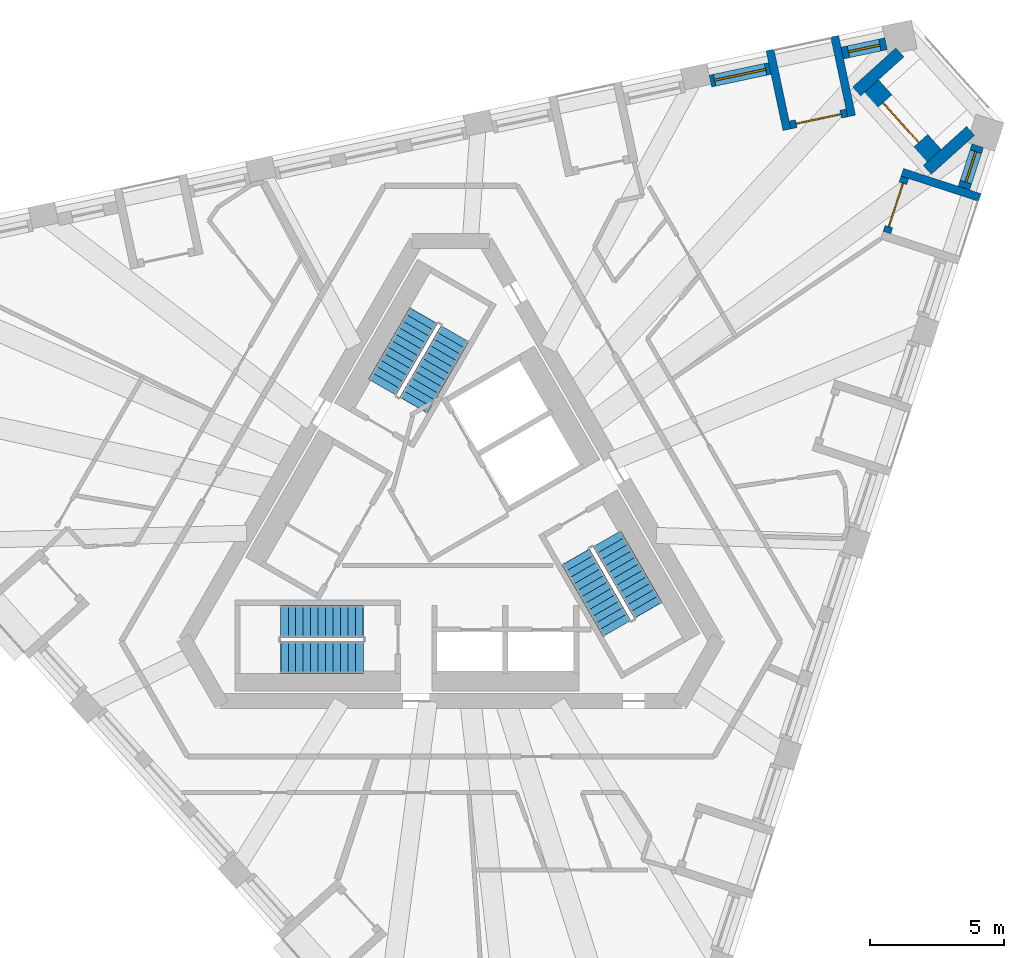
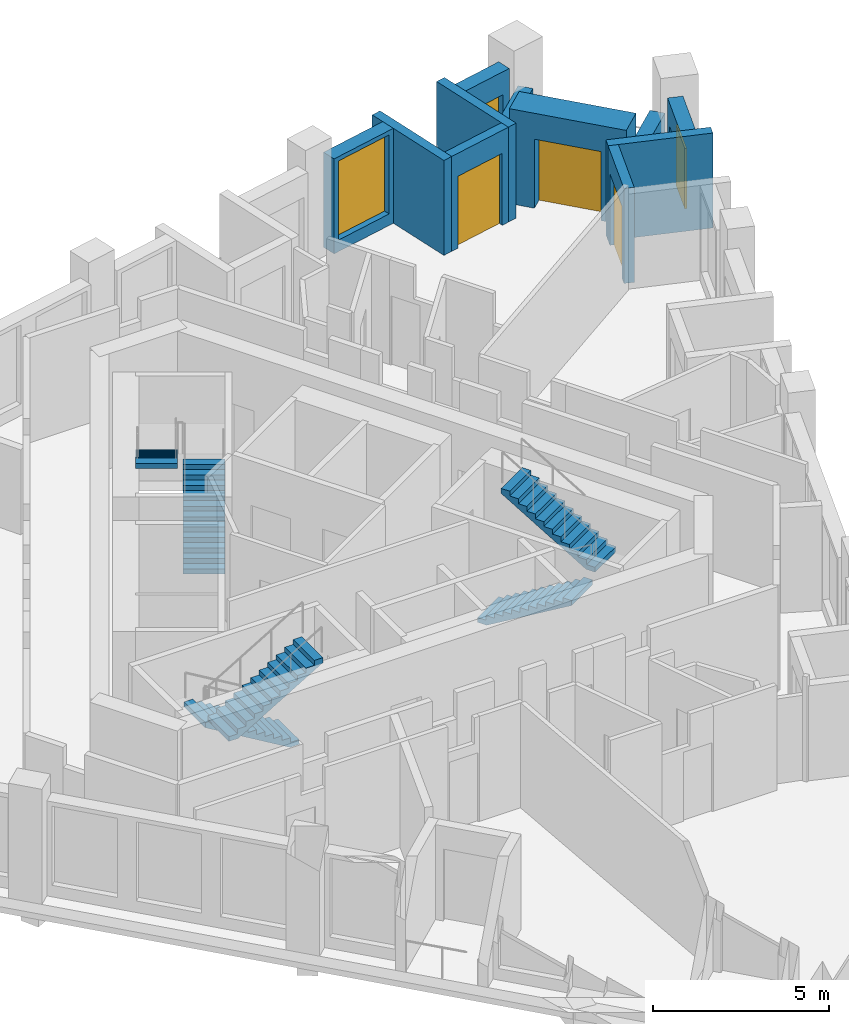
# One storey, part 8 of 12: 11 walls, 6 stair flights, 3 doors, 3 windows, 6 openings, 3 elements without a shape of their own.
"""IFC4 building model written with IfcOpenShell, lengths in metres."""

from ifc_helpers import new_model, si_unit, direction, frame, frame_2d, origin, place, context, subcontext, project, spatial, polyline, rectangle, outline, extrude, material, layer, layer_set, type_object, element, fill, aggregate, save


model = new_model("IFC4")

# Units and contexts
model_context = context("Model", 3, precision=1e-05, world=origin(), true_north=direction((0.0, 1.0)))
body_context = subcontext(model_context, "Body", "Model", "MODEL_VIEW")
ifc_project = project(units=[si_unit("LENGTHUNIT", "METRE"), si_unit("AREAUNIT", "SQUARE_METRE"), si_unit("VOLUMEUNIT", "CUBIC_METRE"), si_unit("PLANEANGLEUNIT", "RADIAN"), si_unit("MASSUNIT", "GRAM", prefix="KILO")], contexts=[model_context])

# Site, building, storey
site_placement = place(None, origin())
site = spatial("IfcSite", under=ifc_project, at=site_placement, CompositionType="ELEMENT")
building_placement = place(site_placement, origin())
building = spatial("IfcBuilding", under=site, at=building_placement, Name="Tramontana Tower", CompositionType="ELEMENT")
storey_placement = place(building_placement, frame((0.0, 0.0, 332.39990234375)))
storey = spatial("IfcBuildingStorey", under=building, at=storey_placement, Name="L76", CompositionType="ELEMENT", Elevation=332.39990234375)

# Wall, opening, window
ifc_material_1 = material(Name="Precast concrete 60 MPa", Category="concrete")
ifc_layer_1 = layer(ifc_material_1, 0.449951171875)
ifc_layer_set_1 = layer_set([ifc_layer_1], Name="Precast concrete 60 MPa, 450 mm")
wall_type_1 = type_object("IfcWallType", Name="EW1 Stone-faced precast wall 450", PredefinedType="SOLIDWALL", material=ifc_layer_set_1)
wall_1_placement = place(storey_placement, frame((19.1904296875, 12.705078125, 0.0), z_axis=(0.0, 0.0, 1.0), x_axis=(0.30898696848, 0.951066271776, 0.0)))
wall_1 = element("IfcWall", 1, at=wall_1_placement, inside=storey, type_object=wall_type_1, Name="External wall L76 face 1 bay 5", PredefinedType="SOLIDWALL", context=body_context, shape_type="SweptSolid", body=[
    extrude(rectangle(XDim=1.671142578125, YDim=0.449951171875, at=frame_2d((0.83544921875, 0.0))), origin(), (0.0, 0.0, 1.0), 3.300048828125),
])
opening_1_placement = place(wall_1_placement, frame((0.235595703125, 0.0, 0.39990234375)))
opening_1 = element("IfcOpeningElement", 2, at=opening_1_placement, cuts=wall_1, Name="Opening N3L", PredefinedType="OPENING", context=body_context, shape_type="SweptSolid", body=[
    extrude(rectangle(XDim=1.199951171875, YDim=2.10009765625, at=frame_2d((0.60009765625, 1.050048828125))), frame((0.0, 0.23486328125, 0.0), z_axis=(0.0, -1.0, 0.0), x_axis=(1.0, 0.0, 0.0)), (0.0, 0.0, 1.0), 0.469970703125),
])
ifc_material_2 = material(Name="Aluminum frame, double glazing unit", Category="aluminium")
window_type_1 = type_object("IfcWindowType", Name="N3L Window 1.2 x 2.1", PartitioningType="SINGLE_PANEL", PredefinedType="WINDOW", material=ifc_material_2)
window_1_placement = place(opening_1_placement, origin())
window_1 = element("IfcWindow", 3, at=window_1_placement, inside=storey, type_object=window_type_1, Name="Window N3L L76 face 1 module 15", OverallHeight=2.10009765625, OverallWidth=1.199951171875, PartitioningType="SINGLE_PANEL", PredefinedType="WINDOW", context=body_context, shape_type="SweptSolid", body=[
    extrude(rectangle(XDim=1.199951171875, YDim=2.10009765625, at=frame_2d((0.60009765625, 1.050048828125))), frame((0.0, 0.030029296875, 0.0), z_axis=(0.0, -1.0, 0.0), x_axis=(1.0, 0.0, 0.0)), (0.0, 0.0, 1.0), 0.06005859375),
])
fill(opening_1, window_1)

wall_2_placement = place(storey_placement, frame((16.276123046875, 18.104736328125, 0.0), z_axis=(0.0, 0.0, 1.0), x_axis=(-0.978126168783, -0.208012494676, 0.0)))
wall_2 = element("IfcWall", 4, at=wall_2_placement, inside=storey, type_object=wall_type_1, Name="External wall L76 face 2 bay 1", PredefinedType="SOLIDWALL", context=body_context, shape_type="SweptSolid", body=[
    extrude(rectangle(XDim=1.67138671875, YDim=0.449951171875, at=frame_2d((0.835693359375, 0.0))), origin(), (0.0, 0.0, 1.0), 3.300048828125),
])
opening_2_placement = place(wall_2_placement, frame((0.235595703125, 0.0, 0.39990234375)))
opening_2 = element("IfcOpeningElement", 5, at=opening_2_placement, cuts=wall_2, Name="Opening N3L", PredefinedType="OPENING", context=body_context, shape_type="SweptSolid", body=[
    extrude(rectangle(XDim=1.199951171875, YDim=2.10009765625, at=frame_2d((0.60009765625, 1.050048828125))), frame((0.0, 0.23486328125, 0.0), z_axis=(0.0, -1.0, 0.0), x_axis=(1.0, 0.0, 0.0)), (0.0, 0.0, 1.0), 0.469970703125),
])
window_2_placement = place(opening_2_placement, origin())
window_2 = element("IfcWindow", 6, at=window_2_placement, inside=storey, type_object=window_type_1, Name="Window N3L L76 face 2 module 1", OverallHeight=2.10009765625, OverallWidth=1.199951171875, PartitioningType="SINGLE_PANEL", PredefinedType="WINDOW", context=body_context, shape_type="SweptSolid", body=[
    extrude(rectangle(XDim=1.199951171875, YDim=2.10009765625, at=frame_2d((0.60009765625, 1.050048828125))), frame((0.0, 0.030029296875, 0.0), z_axis=(0.0, -1.0, 0.0), x_axis=(1.0, 0.0, 0.0)), (0.0, 0.0, 1.0), 0.06005859375),
])
fill(opening_2, window_2)

wall_3_placement = place(storey_placement, frame((11.9306640625, 17.180908203125, 0.0), z_axis=(0.0, 0.0, 1.0), x_axis=(-0.978153386925, -0.207884467067, 0.0)))
wall_3 = element("IfcWall", 7, at=wall_3_placement, inside=storey, type_object=wall_type_1, Name="External wall L76 face 2 bay 1", PredefinedType="SOLIDWALL", context=body_context, shape_type="SweptSolid", body=[
    extrude(rectangle(XDim=2.271240234375, YDim=0.449951171875, at=frame_2d((1.1357421875, 0.0))), origin(), (0.0, 0.0, 1.0), 3.300048828125),
])
opening_3_placement = place(wall_3_placement, frame((0.16064453125, 0.0, 0.39990234375)))
opening_3 = element("IfcOpeningElement", 8, at=opening_3_placement, cuts=wall_3, Name="Opening M3", PredefinedType="OPENING", context=body_context, shape_type="SweptSolid", body=[
    extrude(rectangle(XDim=1.949951171875, YDim=2.75, at=frame_2d((0.97509765625, 1.375))), frame((0.0, 0.23486328125, 0.0), z_axis=(0.0, -1.0, 0.0), x_axis=(1.0, 0.0, 0.0)), (0.0, 0.0, 1.0), 0.469970703125),
])
ifc_material_3 = material(Name="Aluminum frame, double glazing unit", Category="aluminium")
window_type_2 = type_object("IfcWindowType", Name="M3 Window 1.95 x 2.75", PartitioningType="SINGLE_PANEL", PredefinedType="WINDOW", material=ifc_material_3)
window_3_placement = place(opening_3_placement, origin())
window_3 = element("IfcWindow", 9, at=window_3_placement, inside=storey, type_object=window_type_2, Name="Window M3 L76 face 2 module 3", OverallHeight=2.75, OverallWidth=1.949951171875, PartitioningType="SINGLE_PANEL", PredefinedType="WINDOW", context=body_context, shape_type="SweptSolid", body=[
    extrude(rectangle(XDim=1.949951171875, YDim=2.75, at=frame_2d((0.97509765625, 1.375))), frame((0.0, 0.030029296875, 0.0), z_axis=(0.0, -1.0, 0.0), x_axis=(1.0, 0.0, 0.0)), (0.0, 0.0, 1.0), 0.06005859375),
])
fill(opening_3, window_3)

# Walls
wall_4_placement = place(storey_placement, frame((16.795654296875, 17.780517578125, 0.0), z_axis=(0.0, 0.0, 1.0), x_axis=(-0.743165997662, -0.669107091518, 0.0)))
element("IfcWall", 10, at=wall_4_placement, inside=storey, type_object=wall_type_1, Name="Corner loggia side wall L76 K82l", PredefinedType="SOLIDWALL", context=body_context, shape_type="SweptSolid", body=[
    extrude(rectangle(XDim=2.178955078125, YDim=0.449951171875, at=frame_2d((1.08935546875, 0.0))), origin(), (0.0, 0.0, 1.0), 2.550048828125),
])
wall_5_placement = place(storey_placement, frame((19.438720703125, 14.84521484375, 0.0), z_axis=(0.0, 0.0, 1.0), x_axis=(-0.743110286166, -0.669168964159, 0.0)))
element("IfcWall", 11, at=wall_5_placement, inside=storey, type_object=wall_type_1, Name="Corner loggia side wall L76 K82r", PredefinedType="SOLIDWALL", context=body_context, shape_type="SweptSolid", body=[
    extrude(rectangle(XDim=2.17919921875, YDim=0.449951171875, at=frame_2d((1.089599609375, 0.0))), origin(), (0.0, 0.0, 1.0), 2.550048828125),
])

# Wall, opening, door
ifc_material_4 = material(Name="Precast concrete 60 MPa", Category="concrete")
ifc_layer_2 = layer(ifc_material_4, 0.89990234375)
ifc_layer_set_2 = layer_set([ifc_layer_2], Name="EW2 Stone-faced corner loggia wall 900")
wall_type_2 = type_object("IfcWallType", Name="EW2 Stone-faced corner loggia wall 900", PredefinedType="SOLIDWALL", material=ifc_layer_set_2)
wall_6_placement = place(storey_placement, frame((15.6611328125, 16.456298828125, 0.0), z_axis=(0.0, 0.0, 1.0), x_axis=(0.669134277936, -0.743141519559, 0.0)))
wall_6 = element("IfcWall", 12, at=wall_6_placement, inside=storey, type_object=wall_type_2, Name="Corner loggia wall L76 K82", PredefinedType="SOLIDWALL", context=body_context, shape_type="SweptSolid", body=[
    extrude(rectangle(XDim=3.5, YDim=0.89990234375, at=frame_2d((1.75, 0.0))), origin(), (0.0, 0.0, 1.0), 3.300048828125),
])
opening_4_placement = place(wall_6_placement, frame((0.75, 0.0, 0.0)))
opening_4 = element("IfcOpeningElement", 13, at=opening_4_placement, cuts=wall_6, Name="Opening BD-82C", PredefinedType="OPENING", context=body_context, shape_type="SweptSolid", body=[
    extrude(rectangle(XDim=2.0, YDim=2.39990234375, at=frame_2d((1.0, 1.199951171875))), frame((0.0, 0.4599609375, 0.0), z_axis=(0.0, -1.0, 0.0), x_axis=(1.0, 0.0, 0.0)), (0.0, 0.0, 1.0), 0.919921875),
])
ifc_material_5 = material(Name="Aluminum frame, double glazing unit", Category="aluminium")
door_type_1 = type_object("IfcDoorType", Name="BC1 Sliding door 2 x 2.4", OperationType="SLIDING_TO_LEFT", PredefinedType="DOOR", material=ifc_material_5)
door_1_placement = place(opening_4_placement, origin())
door_1 = element("IfcDoor", 14, at=door_1_placement, inside=storey, type_object=door_type_1, Name="Corner loggia door L76 K82", OperationType="SLIDING_TO_LEFT", OverallHeight=2.39990234375, OverallWidth=2.0, PredefinedType="DOOR", context=body_context, shape_type="SweptSolid", body=[
    extrude(rectangle(XDim=2.0, YDim=2.39990234375, at=frame_2d((1.0, 1.199951171875))), frame((0.0, 0.02490234375, 0.0), z_axis=(0.0, -1.0, 0.0), x_axis=(1.0, 0.0, 0.0)), (0.0, 0.0, 1.0), 0.050048828125),
])
fill(opening_4, door_1)

ifc_material_6 = material(Name="Precast concrete 60 MPa", Category="concrete")
ifc_layer_3 = layer(ifc_material_6, 0.300048828125)
ifc_layer_set_3 = layer_set([ifc_layer_3], Name="LW1 Stone-faced loggia wall 300")
wall_type_3 = type_object("IfcWallType", Name="LW1 Stone-faced loggia wall 300", PredefinedType="SOLIDWALL", material=ifc_layer_set_3)
wall_7_placement = place(storey_placement, frame((16.310546875, 11.042236328125, 0.0), z_axis=(0.0, 0.0, 1.0), x_axis=(0.308999623589, 0.95106216023, 0.0)))
wall_7 = element("IfcWall", 15, at=wall_7_placement, inside=storey, type_object=wall_type_3, Name="Loggia wall L76 G8S1.13", PredefinedType="SOLIDWALL", context=body_context, shape_type="SweptSolid", body=[
    extrude(rectangle(XDim=2.171142578125, YDim=0.300048828125, at=frame_2d((1.08544921875, 0.0))), origin(), (0.0, 0.0, 1.0), 3.300048828125),
])
opening_5_placement = place(wall_7_placement, frame((0.235595703125, 0.0, 0.0)))
opening_5 = element("IfcOpeningElement", 16, at=opening_5_placement, cuts=wall_7, Name="Opening BD-8S1-13", PredefinedType="OPENING", context=body_context, shape_type="SweptSolid", body=[
    extrude(rectangle(XDim=1.699951171875, YDim=2.5, at=frame_2d((0.85009765625, 1.25))), frame((0.0, 0.159912109375, 0.0), z_axis=(0.0, -1.0, 0.0), x_axis=(1.0, 0.0, 0.0)), (0.0, 0.0, 1.0), 0.320068359375),
])
ifc_material_7 = material(Name="Aluminum frame, double glazing unit", Category="aluminium")
door_type_2 = type_object("IfcDoorType", Name="BD3 Sliding door 1.7 x 2.5", OperationType="SLIDING_TO_LEFT", PredefinedType="DOOR", material=ifc_material_7)
door_2_placement = place(opening_5_placement, origin())
door_2 = element("IfcDoor", 17, at=door_2_placement, inside=storey, type_object=door_type_2, Name="Loggia door L76 G8S1.13", OperationType="SLIDING_TO_LEFT", OverallHeight=2.5, OverallWidth=1.699951171875, PredefinedType="DOOR", context=body_context, shape_type="SweptSolid", body=[
    extrude(rectangle(XDim=1.699951171875, YDim=2.5, at=frame_2d((0.85009765625, 1.25))), frame((0.0, 0.02490234375, 0.0), z_axis=(0.0, -1.0, 0.0), x_axis=(1.0, 0.0, 0.0)), (0.0, 0.0, 1.0), 0.050048828125),
])
fill(opening_5, door_2)

# Wall
wall_8_placement = place(storey_placement, frame((19.785888671875, 12.353759765625, 0.0), z_axis=(0.0, 0.0, 1.0), x_axis=(-0.951041715693, 0.309062542235, 0.0)))
element("IfcWall", 18, at=wall_8_placement, inside=storey, type_object=wall_type_3, Name="Loggia return L76 G8S1.13b", PredefinedType="SOLIDWALL", context=body_context, shape_type="SweptSolid", body=[
    extrude(rectangle(XDim=3.050048828125, YDim=0.300048828125, at=frame_2d((1.52490234375, 0.0))), origin(), (0.0, 0.0, 1.0), 3.300048828125),
])

# Wall, opening, door
wall_9_placement = place(storey_placement, frame((14.810546875, 15.518310546875, 0.0), z_axis=(0.0, 0.0, 1.0), x_axis=(-0.978148276005, -0.207908513891, 0.0)))
wall_9 = element("IfcWall", 19, at=wall_9_placement, inside=storey, type_object=wall_type_3, Name="Loggia wall L76 G8S2.1", PredefinedType="SOLIDWALL", context=body_context, shape_type="SweptSolid", body=[
    extrude(rectangle(XDim=2.171142578125, YDim=0.300048828125, at=frame_2d((1.08544921875, 0.0))), origin(), (0.0, 0.0, 1.0), 3.300048828125),
])
opening_6_placement = place(wall_9_placement, frame((0.235595703125, 0.0, 0.0)))
opening_6 = element("IfcOpeningElement", 20, at=opening_6_placement, cuts=wall_9, Name="Opening BD-8S2-01", PredefinedType="OPENING", context=body_context, shape_type="SweptSolid", body=[
    extrude(rectangle(XDim=1.699951171875, YDim=2.5, at=frame_2d((0.85009765625, 1.25))), frame((0.0, 0.159912109375, 0.0), z_axis=(0.0, -1.0, 0.0), x_axis=(1.0, 0.0, 0.0)), (0.0, 0.0, 1.0), 0.320068359375),
])
door_3_placement = place(opening_6_placement, origin())
door_3 = element("IfcDoor", 21, at=door_3_placement, inside=storey, type_object=door_type_2, Name="Loggia door L76 G8S2.1", OperationType="SLIDING_TO_LEFT", OverallHeight=2.5, OverallWidth=1.699951171875, PredefinedType="DOOR", context=body_context, shape_type="SweptSolid", body=[
    extrude(rectangle(XDim=1.699951171875, YDim=2.5, at=frame_2d((0.85009765625, 1.25))), frame((0.0, 0.02490234375, 0.0), z_axis=(0.0, -1.0, 0.0), x_axis=(1.0, 0.0, 0.0)), (0.0, 0.0, 1.0), 0.050048828125),
])
fill(opening_6, door_3)

# Walls
wall_10_placement = place(storey_placement, frame((14.354248046875, 18.38623046875, 0.0), z_axis=(0.0, 0.0, 1.0), x_axis=(0.207954487003, -0.978138503145, 0.0)))
element("IfcWall", 22, at=wall_10_placement, inside=storey, type_object=wall_type_3, Name="Loggia return L76 G8S2.1a", PredefinedType="SOLIDWALL", context=body_context, shape_type="SweptSolid", body=[
    extrude(rectangle(XDim=3.050048828125, YDim=0.300048828125, at=frame_2d((1.52490234375, 0.0))), origin(), (0.0, 0.0, 1.0), 3.300048828125),
])
wall_11_placement = place(storey_placement, frame((11.93701171875, 17.872314453125, 0.0), z_axis=(0.0, 0.0, 1.0), x_axis=(0.207894179953, -0.978151322619, 0.0)))
element("IfcWall", 23, at=wall_11_placement, inside=storey, type_object=wall_type_3, Name="Loggia return L76 G8S2.1b", PredefinedType="SOLIDWALL", context=body_context, shape_type="SweptSolid", body=[
    extrude(rectangle(XDim=3.0498046875, YDim=0.300048828125, at=frame_2d((1.52490234375, 0.0))), origin(), (0.0, 0.0, 1.0), 3.300048828125),
])

# Stair, stair flights
ifc_material_8 = material(Name="Concrete 40 MPa", Category="concrete")
stair_type = type_object("IfcStairType", Name="EXIT STAIR 24 RISERS", PredefinedType="HALF_TURN_STAIR", material=ifc_material_8)
stair_1_placement = place(storey_placement, origin())
stair_1 = element("IfcStair", 24, at=stair_1_placement, inside=storey, type_object=stair_type, Name="L76 Exit stair ST1", PredefinedType="HALF_TURN_STAIR")
ifc_material_9 = material(Name="Concrete 40 MPa", Category="concrete")
ifc_layer_4 = layer(ifc_material_9, 0.14990234375)
ifc_layer_set_4 = layer_set([ifc_layer_4], Name="EXIT STAIR FLIGHT")
stair_flight_type = type_object("IfcStairFlightType", Name="EXIT STAIR FLIGHT", PredefinedType="STRAIGHT", material=ifc_layer_set_4)
stair_flight_1_placement = place(storey_placement, frame((-1.39111328125, 4.590576171875, 0.0), z_axis=(0.0, 0.0, 1.0), x_axis=(0.5, 0.866025403784, 0.0)))
stair_flight_1 = element("IfcStairFlight", 25, at=stair_flight_1_placement, type_object=stair_flight_type, Name="ST1 flight 1", NumberOfRisers=12, NumberOfTreads=11, PredefinedType="STRAIGHT", RiserHeight=0.166666667, TreadLength=0.28, context=body_context, shape_type="SweptSolid", body=[
    extrude(outline(polyline([(-0.006103515625, 0.0), (-0.006103515625, 0.0400390625), (0.0, 0.0400390625), (0.0, 0.166748046875), (0.280029296875, 0.166748046875), (0.280029296875, 0.333251953125), (0.56005859375, 0.333251953125), (0.56005859375, 0.5), (0.840087890625, 0.5), (0.840087890625, 0.666748046875), (1.1201171875, 0.666748046875), (1.1201171875, 0.833251953125), (1.39990234375, 0.833251953125), (1.39990234375, 1.0), (1.679931640625, 1.0), (1.679931640625, 1.166748046875), (1.9599609375, 1.166748046875), (1.9599609375, 1.333251953125), (2.239990234375, 1.333251953125), (2.239990234375, 1.5), (2.52001953125, 1.5), (2.52001953125, 1.666748046875), (2.800048828125, 1.666748046875), (2.800048828125, 1.833251953125), (3.080078125, 1.833251953125), (3.0859375, 1.833251953125), (3.0859375, 1.658935546875), (0.299072265625, 0.0), (-0.006103515625, 0.0)])), frame((0.0, 0.60009765625, 0.0), z_axis=(0.0, -1.0, 0.0), x_axis=(1.0, 0.0, 0.0)), (0.0, 0.0, 1.0), 1.199951171875),
])
stair_flight_2_placement = place(storey_placement, frame((-1.020263671875, 7.932861328125, 2.0), z_axis=(0.0, 0.0, 1.0), x_axis=(-0.5, -0.866025403784, 0.0)))
stair_flight_2 = element("IfcStairFlight", 26, at=stair_flight_2_placement, type_object=stair_flight_type, Name="ST1 flight 2", NumberOfRisers=12, NumberOfTreads=11, PredefinedType="STRAIGHT", RiserHeight=0.166666667, TreadLength=0.28, context=body_context, shape_type="SweptSolid", body=[
    extrude(outline(polyline([(-0.006103515625, 0.0), (-0.006103515625, 0.0400390625), (0.0, 0.0400390625), (0.0, 0.166748046875), (0.280029296875, 0.166748046875), (0.280029296875, 0.333251953125), (0.56005859375, 0.333251953125), (0.56005859375, 0.5), (0.840087890625, 0.5), (0.840087890625, 0.666748046875), (1.1201171875, 0.666748046875), (1.1201171875, 0.833251953125), (1.39990234375, 0.833251953125), (1.39990234375, 1.0), (1.679931640625, 1.0), (1.679931640625, 1.166748046875), (1.9599609375, 1.166748046875), (1.9599609375, 1.333251953125), (2.239990234375, 1.333251953125), (2.239990234375, 1.5), (2.52001953125, 1.5), (2.52001953125, 1.666748046875), (2.800048828125, 1.666748046875), (2.800048828125, 1.833251953125), (3.080078125, 1.833251953125), (3.0859375, 1.833251953125), (3.0859375, 1.658935546875), (0.299072265625, 0.0), (-0.006103515625, 0.0)])), frame((0.0, 0.60009765625, 0.0), z_axis=(0.0, -1.0, 0.0), x_axis=(1.0, 0.0, 0.0)), (0.0, 0.0, 1.0), 1.199951171875),
])
aggregate(stair_1, [stair_flight_1, stair_flight_2])

stair_2_placement = place(storey_placement, origin())
stair_2 = element("IfcStair", 27, at=stair_2_placement, inside=storey, type_object=stair_type, Name="L76 Exit stair ST2", PredefinedType="HALF_TURN_STAIR")
stair_flight_3_placement = place(storey_placement, frame((-3.280029296875, -3.5, 0.0), z_axis=(0.0, 0.0, 1.0), x_axis=(-1.0, 0.0, 0.0)))
stair_flight_3 = element("IfcStairFlight", 28, at=stair_flight_3_placement, type_object=stair_flight_type, Name="ST2 flight 1", NumberOfRisers=12, NumberOfTreads=11, PredefinedType="STRAIGHT", RiserHeight=0.166666667, TreadLength=0.28, context=body_context, shape_type="SweptSolid", body=[
    extrude(outline(polyline([(-0.006103515625, 0.0), (-0.006103515625, 0.0400390625), (0.0, 0.0400390625), (0.0, 0.166748046875), (0.280029296875, 0.166748046875), (0.280029296875, 0.333251953125), (0.56005859375, 0.333251953125), (0.56005859375, 0.5), (0.840087890625, 0.5), (0.840087890625, 0.666748046875), (1.1201171875, 0.666748046875), (1.1201171875, 0.833251953125), (1.39990234375, 0.833251953125), (1.39990234375, 1.0), (1.679931640625, 1.0), (1.679931640625, 1.166748046875), (1.9599609375, 1.166748046875), (1.9599609375, 1.333251953125), (2.239990234375, 1.333251953125), (2.239990234375, 1.5), (2.52001953125, 1.5), (2.52001953125, 1.666748046875), (2.800048828125, 1.666748046875), (2.800048828125, 1.833251953125), (3.080078125, 1.833251953125), (3.0859375, 1.833251953125), (3.0859375, 1.658935546875), (0.299072265625, 0.0), (-0.006103515625, 0.0)])), frame((0.0, 0.60009765625, 0.0), z_axis=(0.0, -1.0, 0.0), x_axis=(1.0, 0.0, 0.0)), (0.0, 0.0, 1.0), 1.199951171875),
])
stair_flight_4_placement = place(storey_placement, frame((-6.360107421875, -4.85009765625, 2.0), z_axis=(0.0, 0.0, 1.0), x_axis=(1.0, 0.0, 0.0)))
stair_flight_4 = element("IfcStairFlight", 29, at=stair_flight_4_placement, type_object=stair_flight_type, Name="ST2 flight 2", NumberOfRisers=12, NumberOfTreads=11, PredefinedType="STRAIGHT", RiserHeight=0.166666667, TreadLength=0.28, context=body_context, shape_type="SweptSolid", body=[
    extrude(outline(polyline([(-0.006103515625, 0.0), (-0.006103515625, 0.0400390625), (0.0, 0.0400390625), (0.0, 0.166748046875), (0.280029296875, 0.166748046875), (0.280029296875, 0.333251953125), (0.56005859375, 0.333251953125), (0.56005859375, 0.5), (0.840087890625, 0.5), (0.840087890625, 0.666748046875), (1.1201171875, 0.666748046875), (1.1201171875, 0.833251953125), (1.39990234375, 0.833251953125), (1.39990234375, 1.0), (1.679931640625, 1.0), (1.679931640625, 1.166748046875), (1.9599609375, 1.166748046875), (1.9599609375, 1.333251953125), (2.239990234375, 1.333251953125), (2.239990234375, 1.5), (2.52001953125, 1.5), (2.52001953125, 1.666748046875), (2.800048828125, 1.666748046875), (2.800048828125, 1.833251953125), (3.080078125, 1.833251953125), (3.0859375, 1.833251953125), (3.0859375, 1.658935546875), (0.299072265625, 0.0), (-0.006103515625, 0.0)])), frame((0.0, 0.60009765625, 0.0), z_axis=(0.0, -1.0, 0.0), x_axis=(1.0, 0.0, 0.0)), (0.0, 0.0, 1.0), 1.199951171875),
])
aggregate(stair_2, [stair_flight_3, stair_flight_4])

stair_3_placement = place(storey_placement, origin())
stair_3 = element("IfcStair", 30, at=stair_3_placement, inside=storey, type_object=stair_type, Name="L76 Exit stair ST3", PredefinedType="HALF_TURN_STAIR")
stair_flight_5_placement = place(storey_placement, frame((4.671142578125, -1.090576171875, 0.0), z_axis=(0.0, 0.0, 1.0), x_axis=(0.5, -0.866025403784, 0.0)))
stair_flight_5 = element("IfcStairFlight", 31, at=stair_flight_5_placement, type_object=stair_flight_type, Name="ST3 flight 1", NumberOfRisers=12, NumberOfTreads=11, PredefinedType="STRAIGHT", RiserHeight=0.166666667, TreadLength=0.28, context=body_context, shape_type="SweptSolid", body=[
    extrude(outline(polyline([(-0.006103515625, 0.0), (-0.006103515625, 0.0400390625), (0.0, 0.0400390625), (0.0, 0.166748046875), (0.280029296875, 0.166748046875), (0.280029296875, 0.333251953125), (0.56005859375, 0.333251953125), (0.56005859375, 0.5), (0.840087890625, 0.5), (0.840087890625, 0.666748046875), (1.1201171875, 0.666748046875), (1.1201171875, 0.833251953125), (1.39990234375, 0.833251953125), (1.39990234375, 1.0), (1.679931640625, 1.0), (1.679931640625, 1.166748046875), (1.9599609375, 1.166748046875), (1.9599609375, 1.333251953125), (2.239990234375, 1.333251953125), (2.239990234375, 1.5), (2.52001953125, 1.5), (2.52001953125, 1.666748046875), (2.800048828125, 1.666748046875), (2.800048828125, 1.833251953125), (3.080078125, 1.833251953125), (3.0859375, 1.833251953125), (3.0859375, 1.658935546875), (0.299072265625, 0.0), (-0.006103515625, 0.0)])), frame((0.0, 0.60009765625, 0.0), z_axis=(0.0, -1.0, 0.0), x_axis=(1.0, 0.0, 0.0)), (0.0, 0.0, 1.0), 1.199951171875),
])
stair_flight_6_placement = place(storey_placement, frame((7.380126953125, -3.0830078125, 2.0), z_axis=(0.0, 0.0, 1.0), x_axis=(-0.5, 0.866025403784, 0.0)))
stair_flight_6 = element("IfcStairFlight", 32, at=stair_flight_6_placement, type_object=stair_flight_type, Name="ST3 flight 2", NumberOfRisers=12, NumberOfTreads=11, PredefinedType="STRAIGHT", RiserHeight=0.166666667, TreadLength=0.28, context=body_context, shape_type="SweptSolid", body=[
    extrude(outline(polyline([(-0.006103515625, 0.0), (-0.006103515625, 0.0400390625), (0.0, 0.0400390625), (0.0, 0.166748046875), (0.280029296875, 0.166748046875), (0.280029296875, 0.333251953125), (0.56005859375, 0.333251953125), (0.56005859375, 0.5), (0.840087890625, 0.5), (0.840087890625, 0.666748046875), (1.1201171875, 0.666748046875), (1.1201171875, 0.833251953125), (1.39990234375, 0.833251953125), (1.39990234375, 1.0), (1.679931640625, 1.0), (1.679931640625, 1.166748046875), (1.9599609375, 1.166748046875), (1.9599609375, 1.333251953125), (2.239990234375, 1.333251953125), (2.239990234375, 1.5), (2.52001953125, 1.5), (2.52001953125, 1.666748046875), (2.800048828125, 1.666748046875), (2.800048828125, 1.833251953125), (3.080078125, 1.833251953125), (3.0859375, 1.833251953125), (3.0859375, 1.658935546875), (0.299072265625, 0.0), (-0.006103515625, 0.0)])), frame((0.0, 0.60009765625, 0.0), z_axis=(0.0, -1.0, 0.0), x_axis=(1.0, 0.0, 0.0)), (0.0, 0.0, 1.0), 1.199951171875),
])
aggregate(stair_3, [stair_flight_5, stair_flight_6])

save(model, "model.ifc")
